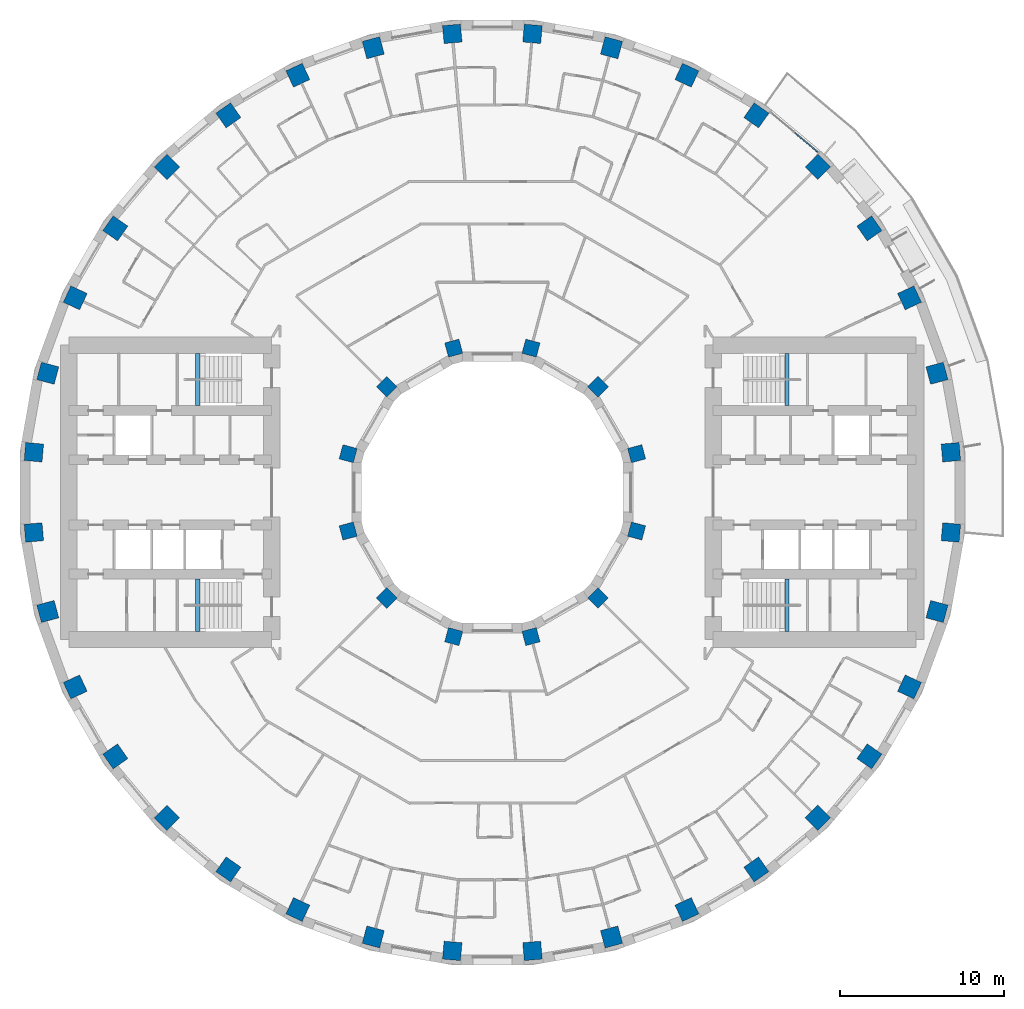
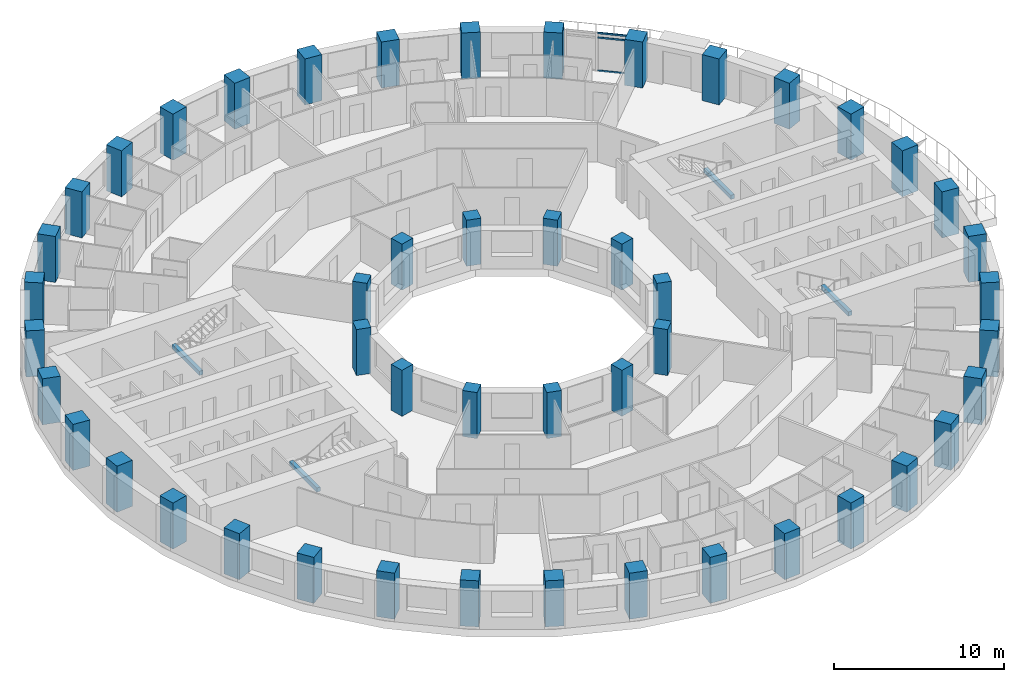
# One storey, part 1 of 15: 48 columns, 4 beams, 3 members, 1 element without a shape of its own.
"""IFC4 building model written with IfcOpenShell, lengths in metres."""

from ifc_helpers import new_model, si_unit, direction, frame, origin, origin_2d, place, context, subcontext, project, spatial, rectangle, extrude, material, layer, layer_set, material_profile, profile_set, type_object, element, aggregate, save


model = new_model("IFC4")

# Units and contexts
model_context = context("Model", 3, precision=1e-05, world=origin(), true_north=direction((0.0, 1.0)))
body_context = subcontext(model_context, "Body", "Model", "MODEL_VIEW")
ifc_project = project(units=[si_unit("LENGTHUNIT", "METRE"), si_unit("AREAUNIT", "SQUARE_METRE"), si_unit("VOLUMEUNIT", "CUBIC_METRE"), si_unit("PLANEANGLEUNIT", "RADIAN"), si_unit("MASSUNIT", "GRAM", prefix="KILO")], contexts=[model_context])

# Site, building, storey
site_placement = place(None, origin())
site = spatial("IfcSite", under=ifc_project, at=site_placement, CompositionType="ELEMENT")
building_placement = place(site_placement, origin())
building = spatial("IfcBuilding", under=site, at=building_placement, Name="Saqina Gate Tower", CompositionType="ELEMENT")
storey_placement = place(building_placement, frame((0.0, 0.0, 59.300048828125)))
storey = spatial("IfcBuildingStorey", under=building, at=storey_placement, Name="L16", CompositionType="ELEMENT", Elevation=59.300048828125)

# Columns
ifc_material_1 = material(Name="Concrete C70/85", Category="concrete")
ifc_material_profile_1 = material_profile(ifc_material_1, rectangle(XDim=0.89990234375, YDim=0.89990234375, at=origin_2d()), Name="RC 900x900")
ifc_profile_set_1 = profile_set([ifc_material_profile_1], Name="Concrete C70/85")
column_type_1 = type_object("IfcColumnType", Name="STR-COL-IN-A", PredefinedType="COLUMN", material=ifc_profile_set_1)
for number, where, z_axis, x_axis, name in (
    (1, (8.821044921875, 2.363525390625, 0.0), (0.0, 0.0, 1.0), (0.965925826289, 0.258819045103, 0.0), "L16-ICL01"),
    (2, (6.45751953125, 6.45751953125, 0.0), (0.0, 0.0, 1.0), (0.707106781187, 0.707106781187, 0.0), "L16-ICL02"),
    (3, (2.363525390625, 8.821044921875, 0.0), (0.0, 0.0, 1.0), (0.258819045103, 0.965925826289, 0.0), "L16-ICL03"),
    (4, (-2.363525390625, 8.821044921875, 0.0), (0.0, 0.0, 1.0), (-0.258819045103, 0.965925826289, 0.0), "L16-ICL04"),
    (5, (-6.45751953125, 6.45751953125, 0.0), (0.0, 0.0, 1.0), (-0.707106781187, 0.707106781187, 0.0), "L16-ICL05"),
    (6, (-8.821044921875, 2.363525390625, 0.0), (0.0, 0.0, 1.0), (-0.965925826289, 0.258819045103, 0.0), "L16-ICL06"),
    (7, (-8.821044921875, -2.363525390625, 0.0), (0.0, 0.0, 1.0), (-0.965925826289, -0.258819045103, 0.0), "L16-ICL07"),
    (8, (-6.45751953125, -6.45751953125, 0.0), (0.0, 0.0, 1.0), (-0.707106781187, -0.707106781187, 0.0), "L16-ICL08"),
    (9, (-2.363525390625, -8.821044921875, 0.0), (0.0, 0.0, 1.0), (-0.258819045103, -0.965925826289, 0.0), "L16-ICL09"),
    (10, (2.363525390625, -8.821044921875, 0.0), (0.0, 0.0, 1.0), (0.258819045103, -0.965925826289, 0.0), "L16-ICL10"),
    (11, (6.45751953125, -6.45751953125, 0.0), (0.0, 0.0, 1.0), (0.707106781187, -0.707106781187, 0.0), "L16-ICL11"),
    (12, (8.821044921875, -2.363525390625, 0.0), (0.0, 0.0, 1.0), (0.965925826289, -0.258819045103, 0.0), "L16-ICL12"),
):
    element("IfcColumn", number, at=place(storey_placement, frame(where, z_axis=z_axis, x_axis=x_axis)), inside=storey, type_object=column_type_1, Name=name, PredefinedType="COLUMN", context=body_context, shape_type="SweptSolid", body=[
        extrude(rectangle(XDim=0.89990234375, YDim=0.89990234375, at=origin_2d()), origin(), (0.0, 0.0, 1.0), 3.300048828125),
    ])
ifc_material_2 = material(Name="Concrete C70/85", Category="concrete")
ifc_material_profile_2 = material_profile(ifc_material_2, rectangle(XDim=1.10009765625, YDim=1.10009765625, at=origin_2d()), Name="RC 1100x1100")
ifc_profile_set_2 = profile_set([ifc_material_profile_2], Name="Concrete C70/85")
column_type_2 = type_object("IfcColumnType", Name="STR-COL-OUT-A", PredefinedType="COLUMN", material=ifc_profile_set_2)
for number, where, z_axis, x_axis, name in (
    (13, (28.04296875, 2.453369140625, 0.0), (0.0, 0.0, 1.0), (0.996194698092, 0.087155742748, 0.0), "L16-COL01"),
    (14, (27.19091796875, 7.28564453125, 0.0), (0.0, 0.0, 1.0), (0.965925826289, 0.258819045103, 0.0), "L16-COL02"),
    (15, (25.512451171875, 11.896728515625, 0.0), (0.0, 0.0, 1.0), (0.906307787037, 0.422618261741, 0.0), "L16-COL03"),
    (16, (23.05908203125, 16.146240234375, 0.0), (0.0, 0.0, 1.0), (0.819152044289, 0.573576436351, 0.0), "L16-COL04"),
    (17, (19.905029296875, 19.905029296875, 0.0), (0.0, 0.0, 1.0), (0.707106781187, 0.707106781187, 0.0), "L16-COL05"),
    (18, (16.146240234375, 23.05908203125, 0.0), (0.0, 0.0, 1.0), (0.573576436351, 0.819152044289, 0.0), "L16-COL06"),
    (19, (11.896728515625, 25.512451171875, 0.0), (0.0, 0.0, 1.0), (0.422618261741, 0.906307787037, 0.0), "L16-COL07"),
    (20, (7.28564453125, 27.19091796875, 0.0), (0.0, 0.0, 1.0), (0.258819045103, 0.965925826289, 0.0), "L16-COL08"),
    (21, (2.453369140625, 28.04296875, 0.0), (0.0, 0.0, 1.0), (0.087155742748, 0.996194698092, 0.0), "L16-COL09"),
    (22, (-2.453369140625, 28.04296875, 0.0), (0.0, 0.0, 1.0), (-0.087155742748, 0.996194698092, 0.0), "L16-COL10"),
    (23, (-7.28564453125, 27.19091796875, 0.0), (0.0, 0.0, 1.0), (-0.258819045103, 0.965925826289, 0.0), "L16-COL11"),
    (24, (-11.896728515625, 25.512451171875, 0.0), (0.0, 0.0, 1.0), (-0.422618261741, 0.906307787037, 0.0), "L16-COL12"),
    (25, (-16.146240234375, 23.05908203125, 0.0), (0.0, 0.0, 1.0), (-0.573576436351, 0.819152044289, 0.0), "L16-COL13"),
    (26, (-19.905029296875, 19.905029296875, 0.0), (0.0, 0.0, 1.0), (-0.707106781187, 0.707106781187, 0.0), "L16-COL14"),
    (27, (-23.05908203125, 16.146240234375, 0.0), (0.0, 0.0, 1.0), (-0.819152044289, 0.573576436351, 0.0), "L16-COL15"),
    (28, (-25.512451171875, 11.896728515625, 0.0), (0.0, 0.0, 1.0), (-0.906307787037, 0.422618261741, 0.0), "L16-COL16"),
    (29, (-27.19091796875, 7.28564453125, 0.0), (0.0, 0.0, 1.0), (-0.965925826289, 0.258819045103, 0.0), "L16-COL17"),
    (30, (-28.04296875, 2.453369140625, 0.0), (0.0, 0.0, 1.0), (-0.996194698092, 0.087155742748, 0.0), "L16-COL18"),
    (31, (-28.04296875, -2.453369140625, 0.0), (0.0, 0.0, 1.0), (-0.996194698092, -0.087155742748, 0.0), "L16-COL19"),
    (32, (-27.19091796875, -7.28564453125, 0.0), (0.0, 0.0, 1.0), (-0.965925826289, -0.258819045103, 0.0), "L16-COL20"),
    (33, (-25.512451171875, -11.896728515625, 0.0), (0.0, 0.0, 1.0), (-0.906307787037, -0.422618261741, 0.0), "L16-COL21"),
    (34, (-23.05908203125, -16.146240234375, 0.0), (0.0, 0.0, 1.0), (-0.819152044289, -0.573576436351, 0.0), "L16-COL22"),
    (35, (-19.905029296875, -19.905029296875, 0.0), (0.0, 0.0, 1.0), (-0.707106781187, -0.707106781187, 0.0), "L16-COL23"),
    (36, (-16.146240234375, -23.05908203125, 0.0), (0.0, 0.0, 1.0), (-0.573576436351, -0.819152044289, 0.0), "L16-COL24"),
    (37, (-11.896728515625, -25.512451171875, 0.0), (0.0, 0.0, 1.0), (-0.422618261741, -0.906307787037, 0.0), "L16-COL25"),
    (38, (-7.28564453125, -27.19091796875, 0.0), (0.0, 0.0, 1.0), (-0.258819045103, -0.965925826289, 0.0), "L16-COL26"),
    (39, (-2.453369140625, -28.04296875, 0.0), (0.0, 0.0, 1.0), (-0.087155742748, -0.996194698092, 0.0), "L16-COL27"),
    (40, (2.453369140625, -28.04296875, 0.0), (0.0, 0.0, 1.0), (0.087155742748, -0.996194698092, 0.0), "L16-COL28"),
    (41, (7.28564453125, -27.19091796875, 0.0), (0.0, 0.0, 1.0), (0.258819045103, -0.965925826289, 0.0), "L16-COL29"),
    (42, (11.896728515625, -25.512451171875, 0.0), (0.0, 0.0, 1.0), (0.422618261741, -0.906307787037, 0.0), "L16-COL30"),
    (43, (16.146240234375, -23.05908203125, 0.0), (0.0, 0.0, 1.0), (0.573576436351, -0.819152044289, 0.0), "L16-COL31"),
    (44, (19.905029296875, -19.905029296875, 0.0), (0.0, 0.0, 1.0), (0.707106781187, -0.707106781187, 0.0), "L16-COL32"),
    (45, (23.05908203125, -16.146240234375, 0.0), (0.0, 0.0, 1.0), (0.819152044289, -0.573576436351, 0.0), "L16-COL33"),
    (46, (25.512451171875, -11.896728515625, 0.0), (0.0, 0.0, 1.0), (0.906307787037, -0.422618261741, 0.0), "L16-COL34"),
    (47, (27.19091796875, -7.28564453125, 0.0), (0.0, 0.0, 1.0), (0.965925826289, -0.258819045103, 0.0), "L16-COL35"),
    (48, (28.04296875, -2.453369140625, 0.0), (0.0, 0.0, 1.0), (0.996194698092, -0.087155742748, 0.0), "L16-COL36"),
):
    element("IfcColumn", number, at=place(storey_placement, frame(where, z_axis=z_axis, x_axis=x_axis)), inside=storey, type_object=column_type_2, Name=name, PredefinedType="COLUMN", context=body_context, shape_type="SweptSolid", body=[
        extrude(rectangle(XDim=1.10009765625, YDim=1.10009765625, at=origin_2d()), origin(), (0.0, 0.0, 1.0), 3.300048828125),
    ])

# Curtain wall, members
ifc_material_3 = material(Name="Aluminium glazing", Category="aluminium")
ifc_layer = layer(ifc_material_3, 0.159912109375)
ifc_layer_set = layer_set([ifc_layer], Name="CWT-4")
curtain_wall_type = type_object("IfcCurtainWallType", Name="CWT-4", PredefinedType="NOTDEFINED", material=ifc_layer_set)
curtain_wall_placement = place(storey_placement, origin())
curtain_wall = element("IfcCurtainWall", 49, at=curtain_wall_placement, inside=storey, type_object=curtain_wall_type, Name="Terrace lounge glazing facet 5", PredefinedType="NOTDEFINED")
ifc_material_4 = material(Name="Aluminium", Category="aluminium")
ifc_material_profile_3 = material_profile(ifc_material_4, rectangle(XDim=0.06005859375, YDim=0.1201171875, at=origin_2d()), Name="Aluminium 60x120")
ifc_profile_set_3 = profile_set([ifc_material_profile_3], Name="Aluminium")
member_type = type_object("IfcMemberType", Name="CWT-4T", PredefinedType="USERDEFINED", material=ifc_profile_set_3)
member_1_placement = place(storey_placement, frame((19.900634765625, 20.818359375, 0.030029296875), z_axis=(-0.766077303133, 0.642748446614, 0.0), x_axis=(-0.642748446614, -0.766077303133, 0.0)))
member_1 = element("IfcMember", 50, at=member_1_placement, type_object=member_type, Name="CW4-05 transom 1.1", ObjectType="TRANSOM", PredefinedType="USERDEFINED", context=body_context, shape_type="SweptSolid", body=[
    extrude(rectangle(XDim=0.06005859375, YDim=0.1201171875, at=origin_2d()), origin(), (0.0, 0.0, 1.0), 1.8330078125),
])
member_2_placement = place(storey_placement, frame((19.900634765625, 20.818359375, 2.39990234375), z_axis=(-0.766077303133, 0.642748446614, 0.0), x_axis=(-0.642748446614, -0.766077303133, 0.0)))
member_2 = element("IfcMember", 51, at=member_2_placement, type_object=member_type, Name="CW4-05 transom 1.2", ObjectType="TRANSOM", PredefinedType="USERDEFINED", context=body_context, shape_type="SweptSolid", body=[
    extrude(rectangle(XDim=0.06005859375, YDim=0.1201171875, at=origin_2d()), origin(), (0.0, 0.0, 1.0), 1.8330078125),
])
member_3_placement = place(storey_placement, frame((19.900634765625, 20.818359375, 2.719970703125), z_axis=(-0.766077303133, 0.642748446614, 0.0), x_axis=(-0.642748446614, -0.766077303133, 0.0)))
member_3 = element("IfcMember", 52, at=member_3_placement, type_object=member_type, Name="CW4-05 transom 1.3", ObjectType="TRANSOM", PredefinedType="USERDEFINED", context=body_context, shape_type="SweptSolid", body=[
    extrude(rectangle(XDim=0.06005859375, YDim=0.1201171875, at=origin_2d()), origin(), (0.0, 0.0, 1.0), 1.8330078125),
])
aggregate(curtain_wall, [member_1, member_2, member_3])

# Beams
ifc_material_5 = material(Name="Concrete C40/50", Category="concrete")
ifc_material_profile_4 = material_profile(ifc_material_5, rectangle(XDim=0.25, YDim=0.300048828125, at=origin_2d()), Name="STAIR LANDING BEAM")
ifc_profile_set_4 = profile_set([ifc_material_profile_4], Name="Concrete C40/50")
beam_type = type_object("IfcBeamType", Name="STAIR LANDING BEAM", PredefinedType="BEAM", material=ifc_profile_set_4)
for number, where, z_axis, x_axis, name in (
    (53, (18.02001953125, 5.300048828125, 1.25), (0.0, 1.0, 0.0), (-1.0, 0.0, 0.0), "EXIT STAIR 1 LANDING BEAM"),
    (54, (18.02001953125, -8.5, 1.25), (0.0, 1.0, 0.0), (-1.0, 0.0, 0.0), "EXIT STAIR 2 LANDING BEAM"),
    (55, (-18.02001953125, 5.300048828125, 1.25), (0.0, 1.0, 0.0), (-1.0, 0.0, 0.0), "EXIT STAIR 3 LANDING BEAM"),
    (56, (-18.02001953125, -8.5, 1.25), (0.0, 1.0, 0.0), (-1.0, 0.0, 0.0), "EXIT STAIR 4 LANDING BEAM"),
):
    element("IfcBeam", number, at=place(storey_placement, frame(where, z_axis=z_axis, x_axis=x_axis)), inside=storey, type_object=beam_type, Name=name, PredefinedType="BEAM", context=body_context, shape_type="SweptSolid", body=[
        extrude(rectangle(XDim=0.25, YDim=0.300048828125, at=origin_2d()), origin(), (0.0, 0.0, 1.0), 3.199951171875),
    ])

save(model, "model.ifc")
